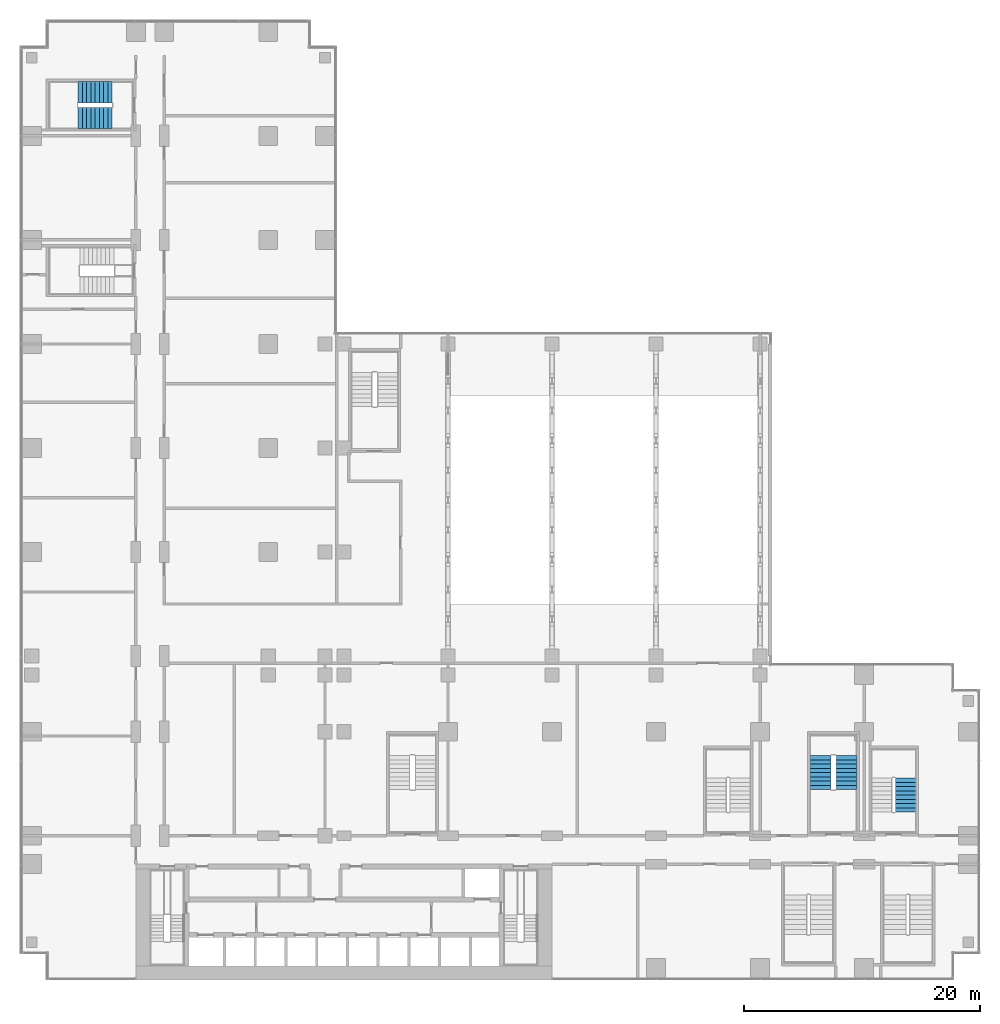
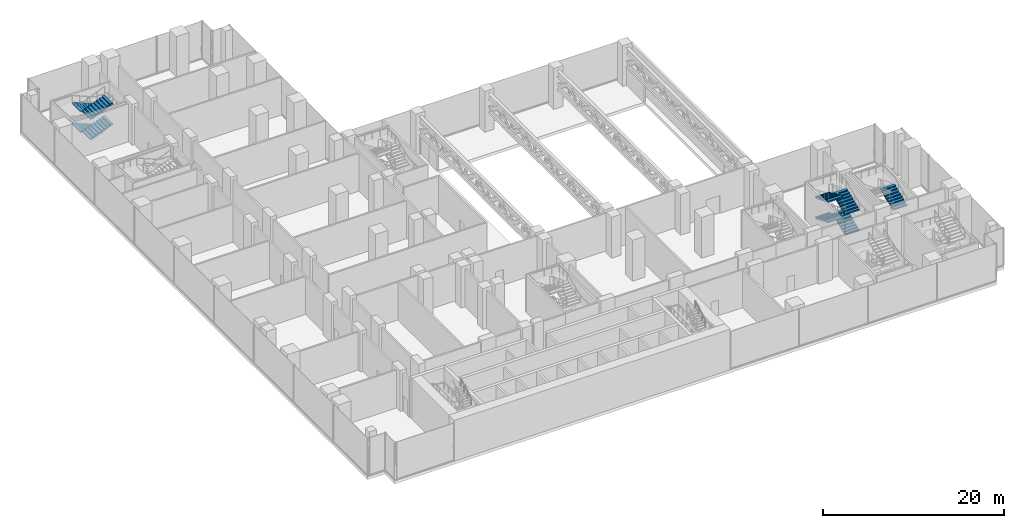
# One storey, part 24 of 30: 9 stair flights, 3 elements without a shape of their own.
"""IFC4 building model written with IfcOpenShell, lengths in metres."""

from ifc_helpers import new_model, si_unit, direction, frame, origin, place, context, subcontext, project, spatial, polyline, outline, extrude, material, type_object, element, aggregate, save


model = new_model("IFC4")

# Units and contexts
model_context = context("Model", 3, precision=1e-05, world=origin(), true_north=direction((0.0, 1.0)))
body_context = subcontext(model_context, "Body", "Model", "MODEL_VIEW")
ifc_project = project(units=[si_unit("LENGTHUNIT", "METRE"), si_unit("AREAUNIT", "SQUARE_METRE"), si_unit("VOLUMEUNIT", "CUBIC_METRE"), si_unit("PLANEANGLEUNIT", "RADIAN"), si_unit("MASSUNIT", "GRAM", prefix="KILO")], contexts=[model_context])

# Site, building, storey
site_placement = place(None, origin())
site = spatial("IfcSite", under=ifc_project, at=site_placement, CompositionType="ELEMENT")
building_placement = place(site_placement, origin())
building = spatial("IfcBuilding", under=site, at=building_placement, Name="Kemantara Hotel Tower", CompositionType="ELEMENT")
storey_placement = place(building_placement, frame((0.0, 0.0, 23.5)))
storey = spatial("IfcBuildingStorey", under=building, at=storey_placement, Name="L04", CompositionType="ELEMENT", Elevation=23.5)

# Stair, stair flight
ifc_material = material(Name="Concrete fc 40 MPa", Category="concrete")
stair_type = type_object("IfcStairType", Name="Stair 1800 wide 36 risers of 153 x 360 mm", PredefinedType="HALF_TURN_STAIR", material=ifc_material)
stair_1_placement = place(storey_placement, origin())
stair_1 = element("IfcStair", 1, at=stair_1_placement, inside=storey, type_object=stair_type, Name="L04 Exit stair ST5", PredefinedType="HALF_TURN_STAIR")
stair_flight_type = type_object("IfcStairFlightType", Name="Stair flight 1800 wide 153 x 360 mm", PredefinedType="STRAIGHT", material=ifc_material)
stair_flight_1_placement = place(storey_placement, frame((74.89990234375, 14.199951171875, 2.75), z_axis=(0.0, 0.0, 1.0), x_axis=(0.0, 1.0, 0.0)))
stair_flight_1 = element("IfcStairFlight", 2, at=stair_flight_1_placement, type_object=stair_flight_type, Name="ST5 flight 3", NumberOfRisers=9, NumberOfTreads=8, PredefinedType="STRAIGHT", RiserHeight=0.152777778, TreadLength=0.36, context=body_context, shape_type="SweptSolid", body=[
    extrude(outline(polyline([(0.0, 0.0), (0.0, 0.15283203125), (0.360107421875, 0.15283203125), (0.360107421875, 0.3056640625), (0.719970703125, 0.3056640625), (0.719970703125, 0.458251953125), (1.080078125, 0.458251953125), (1.080078125, 0.611083984375), (1.43994140625, 0.611083984375), (1.43994140625, 0.763916015625), (1.800048828125, 0.763916015625), (1.800048828125, 0.916748046875), (2.159912109375, 0.916748046875), (2.159912109375, 1.0693359375), (2.52001953125, 1.0693359375), (2.52001953125, 1.22216796875), (2.8798828125, 1.22216796875), (2.8798828125, 1.375), (2.8798828125, 1.059326171875), (0.3837890625, 0.0), (0.0, 0.0)])), frame((0.0, 0.89990234375, 0.0), z_axis=(0.0, -1.0, 0.0), x_axis=(1.0, 0.0, 0.0)), (0.0, 0.0, 1.0), 1.800048828125),
])
aggregate(stair_1, [stair_flight_1])

# Stair, stair flights
stair_2_placement = place(storey_placement, origin())
stair_2 = element("IfcStair", 3, at=stair_2_placement, inside=storey, type_object=stair_type, Name="L04 Exit stair ST6", PredefinedType="HALF_TURN_STAIR")
stair_flight_2_placement = place(storey_placement, frame((7.800048828125, 75.10009765625, 0.0), z_axis=(0.0, 0.0, 1.0), x_axis=(-1.0, 0.0, 0.0)))
stair_flight_2 = element("IfcStairFlight", 4, at=stair_flight_2_placement, type_object=stair_flight_type, Name="ST6 flight 1", NumberOfRisers=9, NumberOfTreads=8, PredefinedType="STRAIGHT", RiserHeight=0.152777778, TreadLength=0.36, context=body_context, shape_type="SweptSolid", body=[
    extrude(outline(polyline([(0.0, 0.0), (0.0, 0.15283203125), (0.360107421875, 0.15283203125), (0.360107421875, 0.3056640625), (0.719970703125, 0.3056640625), (0.719970703125, 0.458251953125), (1.080078125, 0.458251953125), (1.080078125, 0.611083984375), (1.43994140625, 0.611083984375), (1.43994140625, 0.763916015625), (1.800048828125, 0.763916015625), (1.800048828125, 0.916748046875), (2.159912109375, 0.916748046875), (2.159912109375, 1.0693359375), (2.52001953125, 1.0693359375), (2.52001953125, 1.22216796875), (2.8798828125, 1.22216796875), (2.8798828125, 1.375), (2.8798828125, 1.059326171875), (0.3837890625, 0.0), (0.0, 0.0)])), frame((0.0, 0.89990234375, 0.0), z_axis=(0.0, -1.0, 0.0), x_axis=(1.0, 0.0, 0.0)), (0.0, 0.0, 1.0), 1.800048828125),
])
stair_flight_3_placement = place(storey_placement, frame((4.919921875, 72.89990234375, 1.375), z_axis=(0.0, 0.0, 1.0), x_axis=(1.0, 0.0, 0.0)))
stair_flight_3 = element("IfcStairFlight", 5, at=stair_flight_3_placement, type_object=stair_flight_type, Name="ST6 flight 2", NumberOfRisers=9, NumberOfTreads=8, PredefinedType="STRAIGHT", RiserHeight=0.152777778, TreadLength=0.36, context=body_context, shape_type="SweptSolid", body=[
    extrude(outline(polyline([(0.0, 0.0), (0.0, 0.15283203125), (0.360107421875, 0.15283203125), (0.360107421875, 0.3056640625), (0.719970703125, 0.3056640625), (0.719970703125, 0.458251953125), (1.080078125, 0.458251953125), (1.080078125, 0.611083984375), (1.43994140625, 0.611083984375), (1.43994140625, 0.763916015625), (1.800048828125, 0.763916015625), (1.800048828125, 0.916748046875), (2.159912109375, 0.916748046875), (2.159912109375, 1.0693359375), (2.52001953125, 1.0693359375), (2.52001953125, 1.22216796875), (2.8798828125, 1.22216796875), (2.8798828125, 1.375), (2.8798828125, 1.059326171875), (0.3837890625, 0.0), (0.0, 0.0)])), frame((0.0, 0.89990234375, 0.0), z_axis=(0.0, -1.0, 0.0), x_axis=(1.0, 0.0, 0.0)), (0.0, 0.0, 1.0), 1.800048828125),
])
stair_flight_4_placement = place(storey_placement, frame((7.800048828125, 75.10009765625, 2.75), z_axis=(0.0, 0.0, 1.0), x_axis=(-1.0, 0.0, 0.0)))
stair_flight_4 = element("IfcStairFlight", 6, at=stair_flight_4_placement, type_object=stair_flight_type, Name="ST6 flight 3", NumberOfRisers=9, NumberOfTreads=8, PredefinedType="STRAIGHT", RiserHeight=0.152777778, TreadLength=0.36, context=body_context, shape_type="SweptSolid", body=[
    extrude(outline(polyline([(0.0, 0.0), (0.0, 0.15283203125), (0.360107421875, 0.15283203125), (0.360107421875, 0.3056640625), (0.719970703125, 0.3056640625), (0.719970703125, 0.458251953125), (1.080078125, 0.458251953125), (1.080078125, 0.611083984375), (1.43994140625, 0.611083984375), (1.43994140625, 0.763916015625), (1.800048828125, 0.763916015625), (1.800048828125, 0.916748046875), (2.159912109375, 0.916748046875), (2.159912109375, 1.0693359375), (2.52001953125, 1.0693359375), (2.52001953125, 1.22216796875), (2.8798828125, 1.22216796875), (2.8798828125, 1.375), (2.8798828125, 1.059326171875), (0.3837890625, 0.0), (0.0, 0.0)])), frame((0.0, 0.89990234375, 0.0), z_axis=(0.0, -1.0, 0.0), x_axis=(1.0, 0.0, 0.0)), (0.0, 0.0, 1.0), 1.800048828125),
])
stair_flight_5_placement = place(storey_placement, frame((4.919921875, 72.89990234375, 4.125), z_axis=(0.0, 0.0, 1.0), x_axis=(1.0, 0.0, 0.0)))
stair_flight_5 = element("IfcStairFlight", 7, at=stair_flight_5_placement, type_object=stair_flight_type, Name="ST6 flight 4", NumberOfRisers=9, NumberOfTreads=8, PredefinedType="STRAIGHT", RiserHeight=0.152777778, TreadLength=0.36, context=body_context, shape_type="SweptSolid", body=[
    extrude(outline(polyline([(0.0, 0.0), (0.0, 0.15283203125), (0.360107421875, 0.15283203125), (0.360107421875, 0.3056640625), (0.719970703125, 0.3056640625), (0.719970703125, 0.458251953125), (1.080078125, 0.458251953125), (1.080078125, 0.611083984375), (1.43994140625, 0.611083984375), (1.43994140625, 0.763916015625), (1.800048828125, 0.763916015625), (1.800048828125, 0.916748046875), (2.159912109375, 0.916748046875), (2.159912109375, 1.0693359375), (2.52001953125, 1.0693359375), (2.52001953125, 1.22216796875), (2.8798828125, 1.22216796875), (2.8798828125, 1.375), (2.8798828125, 1.059326171875), (0.3837890625, 0.0), (0.0, 0.0)])), frame((0.0, 0.89990234375, 0.0), z_axis=(0.0, -1.0, 0.0), x_axis=(1.0, 0.0, 0.0)), (0.0, 0.0, 1.0), 1.800048828125),
])
aggregate(stair_2, [stair_flight_2, stair_flight_3, stair_flight_4, stair_flight_5])

stair_3_placement = place(storey_placement, origin())
stair_3 = element("IfcStair", 8, at=stair_3_placement, inside=storey, type_object=stair_type, Name="L04 Stair PS1", PredefinedType="HALF_TURN_STAIR")
stair_flight_6_placement = place(storey_placement, frame((69.89990234375, 16.10009765625, 0.0), z_axis=(0.0, 0.0, 1.0), x_axis=(0.0, 1.0, 0.0)))
stair_flight_6 = element("IfcStairFlight", 9, at=stair_flight_6_placement, type_object=stair_flight_type, Name="PS1 flight 1", NumberOfRisers=9, NumberOfTreads=8, PredefinedType="STRAIGHT", RiserHeight=0.152777778, TreadLength=0.36, context=body_context, shape_type="SweptSolid", body=[
    extrude(outline(polyline([(0.0, 0.0), (0.0, 0.15283203125), (0.360107421875, 0.15283203125), (0.360107421875, 0.3056640625), (0.719970703125, 0.3056640625), (0.719970703125, 0.458251953125), (1.080078125, 0.458251953125), (1.080078125, 0.611083984375), (1.43994140625, 0.611083984375), (1.43994140625, 0.763916015625), (1.800048828125, 0.763916015625), (1.800048828125, 0.916748046875), (2.159912109375, 0.916748046875), (2.159912109375, 1.0693359375), (2.52001953125, 1.0693359375), (2.52001953125, 1.22216796875), (2.8798828125, 1.22216796875), (2.8798828125, 1.375), (2.8798828125, 1.059326171875), (0.3837890625, 0.0), (0.0, 0.0)])), frame((0.0, 0.89990234375, 0.0), z_axis=(0.0, -1.0, 0.0), x_axis=(1.0, 0.0, 0.0)), (0.0, 0.0, 1.0), 1.800048828125),
])
stair_flight_7_placement = place(storey_placement, frame((67.699951171875, 18.97998046875, 1.375), z_axis=(0.0, 0.0, 1.0), x_axis=(0.0, -1.0, 0.0)))
stair_flight_7 = element("IfcStairFlight", 10, at=stair_flight_7_placement, type_object=stair_flight_type, Name="PS1 flight 2", NumberOfRisers=9, NumberOfTreads=8, PredefinedType="STRAIGHT", RiserHeight=0.152777778, TreadLength=0.36, context=body_context, shape_type="SweptSolid", body=[
    extrude(outline(polyline([(0.0, 0.0), (0.0, 0.15283203125), (0.360107421875, 0.15283203125), (0.360107421875, 0.3056640625), (0.719970703125, 0.3056640625), (0.719970703125, 0.458251953125), (1.080078125, 0.458251953125), (1.080078125, 0.611083984375), (1.43994140625, 0.611083984375), (1.43994140625, 0.763916015625), (1.800048828125, 0.763916015625), (1.800048828125, 0.916748046875), (2.159912109375, 0.916748046875), (2.159912109375, 1.0693359375), (2.52001953125, 1.0693359375), (2.52001953125, 1.22216796875), (2.8798828125, 1.22216796875), (2.8798828125, 1.375), (2.8798828125, 1.059326171875), (0.3837890625, 0.0), (0.0, 0.0)])), frame((0.0, 0.89990234375, 0.0), z_axis=(0.0, -1.0, 0.0), x_axis=(1.0, 0.0, 0.0)), (0.0, 0.0, 1.0), 1.800048828125),
])
stair_flight_8_placement = place(storey_placement, frame((69.89990234375, 16.10009765625, 2.75), z_axis=(0.0, 0.0, 1.0), x_axis=(0.0, 1.0, 0.0)))
stair_flight_8 = element("IfcStairFlight", 11, at=stair_flight_8_placement, type_object=stair_flight_type, Name="PS1 flight 3", NumberOfRisers=9, NumberOfTreads=8, PredefinedType="STRAIGHT", RiserHeight=0.152777778, TreadLength=0.36, context=body_context, shape_type="SweptSolid", body=[
    extrude(outline(polyline([(0.0, 0.0), (0.0, 0.15283203125), (0.360107421875, 0.15283203125), (0.360107421875, 0.3056640625), (0.719970703125, 0.3056640625), (0.719970703125, 0.458251953125), (1.080078125, 0.458251953125), (1.080078125, 0.611083984375), (1.43994140625, 0.611083984375), (1.43994140625, 0.763916015625), (1.800048828125, 0.763916015625), (1.800048828125, 0.916748046875), (2.159912109375, 0.916748046875), (2.159912109375, 1.0693359375), (2.52001953125, 1.0693359375), (2.52001953125, 1.22216796875), (2.8798828125, 1.22216796875), (2.8798828125, 1.375), (2.8798828125, 1.059326171875), (0.3837890625, 0.0), (0.0, 0.0)])), frame((0.0, 0.89990234375, 0.0), z_axis=(0.0, -1.0, 0.0), x_axis=(1.0, 0.0, 0.0)), (0.0, 0.0, 1.0), 1.800048828125),
])
stair_flight_9_placement = place(storey_placement, frame((67.699951171875, 18.97998046875, 4.125), z_axis=(0.0, 0.0, 1.0), x_axis=(0.0, -1.0, 0.0)))
stair_flight_9 = element("IfcStairFlight", 12, at=stair_flight_9_placement, type_object=stair_flight_type, Name="PS1 flight 4", NumberOfRisers=9, NumberOfTreads=8, PredefinedType="STRAIGHT", RiserHeight=0.152777778, TreadLength=0.36, context=body_context, shape_type="SweptSolid", body=[
    extrude(outline(polyline([(0.0, 0.0), (0.0, 0.15283203125), (0.360107421875, 0.15283203125), (0.360107421875, 0.3056640625), (0.719970703125, 0.3056640625), (0.719970703125, 0.458251953125), (1.080078125, 0.458251953125), (1.080078125, 0.611083984375), (1.43994140625, 0.611083984375), (1.43994140625, 0.763916015625), (1.800048828125, 0.763916015625), (1.800048828125, 0.916748046875), (2.159912109375, 0.916748046875), (2.159912109375, 1.0693359375), (2.52001953125, 1.0693359375), (2.52001953125, 1.22216796875), (2.8798828125, 1.22216796875), (2.8798828125, 1.375), (2.8798828125, 1.059326171875), (0.3837890625, 0.0), (0.0, 0.0)])), frame((0.0, 0.89990234375, 0.0), z_axis=(0.0, -1.0, 0.0), x_axis=(1.0, 0.0, 0.0)), (0.0, 0.0, 1.0), 1.800048828125),
])
aggregate(stair_3, [stair_flight_6, stair_flight_7, stair_flight_8, stair_flight_9])

save(model, "model.ifc")
